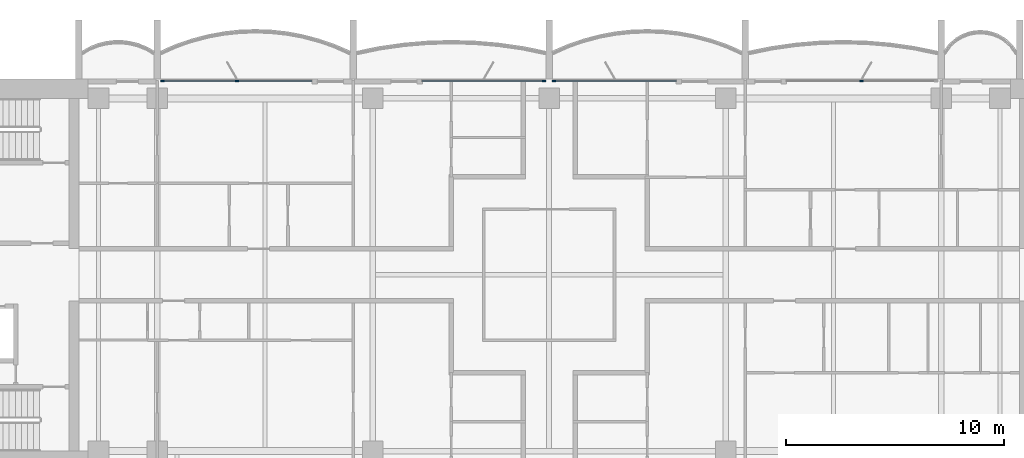
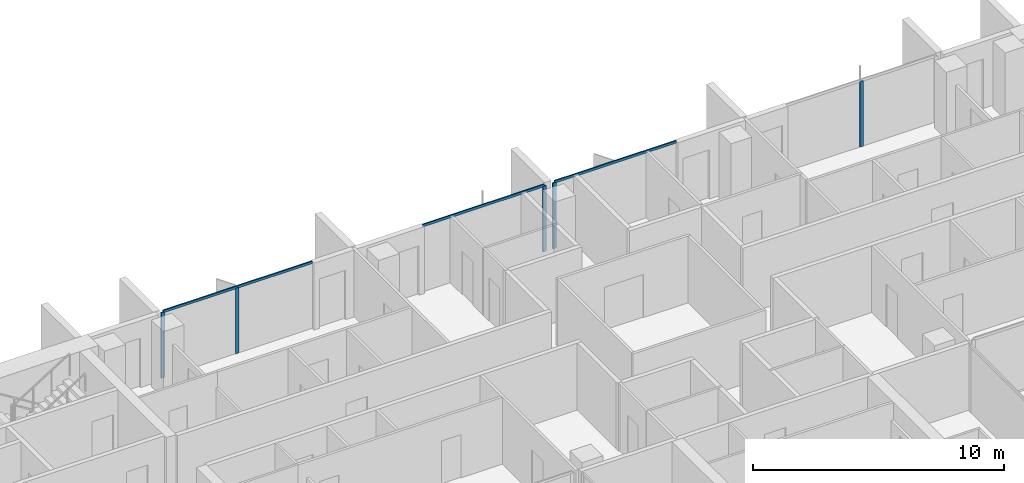
# One storey, part 5 of 17: 8 members, 4 elements without a shape of their own.
"""IFC4 building model written with IfcOpenShell, lengths in metres."""

from ifc_helpers import new_model, si_unit, direction, frame, origin, origin_2d, place, context, subcontext, project, spatial, rectangle, extrude, material, material_profile, profile_set, type_object, element, aggregate, save


model = new_model("IFC4")

# Units and contexts
model_context = context("Model", 3, precision=1e-05, world=origin(), true_north=direction((0.0, 1.0)))
body_context = subcontext(model_context, "Body", "Model", "MODEL_VIEW")
ifc_project = project(units=[si_unit("LENGTHUNIT", "METRE"), si_unit("AREAUNIT", "SQUARE_METRE"), si_unit("VOLUMEUNIT", "CUBIC_METRE"), si_unit("PLANEANGLEUNIT", "RADIAN"), si_unit("MASSUNIT", "GRAM", prefix="KILO")], contexts=[model_context])

# Site, building, storey
site_placement = place(None, origin())
site = spatial("IfcSite", under=ifc_project, at=site_placement, CompositionType="ELEMENT")
building_placement = place(site_placement, origin())
building = spatial("IfcBuilding", under=site, at=building_placement, Name="Perihelion Cross Residences", CompositionType="ELEMENT")
storey_placement = place(building_placement, frame((0.0, 0.0, 180.60009765625)))
storey = spatial("IfcBuildingStorey", under=building, at=storey_placement, Name="L44", CompositionType="ELEMENT", Elevation=180.60009765625)

# Curtain wall, member
ifc_material_1 = material(Name="Bronze anodised aluminium, tinted glazing", Category="aluminium")
curtain_wall_type = type_object("IfcCurtainWallType", Name="CW1", PredefinedType="NOTDEFINED", material=ifc_material_1)
curtain_wall_1_placement = place(storey_placement, origin())
curtain_wall_1 = element("IfcCurtainWall", 1, at=curtain_wall_1_placement, inside=storey, type_object=curtain_wall_type, Name="Curtain wall CW1 L44 east side north bay 2", PredefinedType="NOTDEFINED")
ifc_material_2 = material(Name="Bronze anodised aluminium", Category="aluminium")
ifc_material_profile_1 = material_profile(ifc_material_2, rectangle(XDim=0.06005859375, YDim=0.159912109375, at=origin_2d()), Name="CW1 mullion")
ifc_profile_set_1 = profile_set([ifc_material_profile_1], Name="Bronze anodised aluminium")
member_type_1 = type_object("IfcMemberType", Name="CW1 mullion", PredefinedType="MULLION", material=ifc_profile_set_1)
member_1_placement = place(storey_placement, frame((14.35009765625, 8.89990234375, 0.0), z_axis=(0.0, 0.0, 1.0), x_axis=(0.0, -1.0, 0.0)))
member_1 = element("IfcMember", 2, at=member_1_placement, type_object=member_type_1, Name="CW1 mullion 2", PredefinedType="MULLION", context=body_context, shape_type="SweptSolid", body=[
    extrude(rectangle(XDim=0.06005859375, YDim=0.159912109375, at=origin_2d()), origin(), (0.0, 0.0, 1.0), 3.18994140625),
])
aggregate(curtain_wall_1, [member_1])

curtain_wall_2_placement = place(storey_placement, origin())
curtain_wall_2 = element("IfcCurtainWall", 3, at=curtain_wall_2_placement, inside=storey, type_object=curtain_wall_type, Name="Curtain wall CW1 L44 north side east bay 1", PredefinedType="NOTDEFINED")
member_2_placement = place(storey_placement, frame((0.22998046875, 8.89990234375, 0.0), z_axis=(0.0, 0.0, 1.0), x_axis=(0.0, -1.0, 0.0)))
member_2 = element("IfcMember", 4, at=member_2_placement, type_object=member_type_1, Name="CW1 mullion 2", PredefinedType="MULLION", context=body_context, shape_type="SweptSolid", body=[
    extrude(rectangle(XDim=0.06005859375, YDim=0.159912109375, at=origin_2d()), origin(), (0.0, 0.0, 1.0), 3.18994140625),
])

curtain_wall_3_placement = place(storey_placement, origin())
curtain_wall_3 = element("IfcCurtainWall", 5, at=curtain_wall_3_placement, inside=storey, type_object=curtain_wall_type, Name="Curtain wall CW1 L44 north side east bay 2", PredefinedType="NOTDEFINED")
member_3_placement = place(storey_placement, frame((-0.22998046875, 8.89990234375, 0.0), z_axis=(0.0, 0.0, 1.0), x_axis=(0.0, -1.0, 0.0)))
member_3 = element("IfcMember", 6, at=member_3_placement, type_object=member_type_1, Name="CW1 mullion 1", PredefinedType="MULLION", context=body_context, shape_type="SweptSolid", body=[
    extrude(rectangle(XDim=0.06005859375, YDim=0.159912109375, at=origin_2d()), origin(), (0.0, 0.0, 1.0), 3.18994140625),
])

# Curtain wall, members
curtain_wall_4_placement = place(storey_placement, origin())
curtain_wall_4 = element("IfcCurtainWall", 7, at=curtain_wall_4_placement, inside=storey, type_object=curtain_wall_type, Name="Curtain wall CW1 L44 west side north bay 1", PredefinedType="NOTDEFINED")
member_4_placement = place(storey_placement, frame((-14.35009765625, 8.89990234375, 0.0), z_axis=(0.0, 0.0, 1.0), x_axis=(0.0, -1.0, 0.0)))
member_4 = element("IfcMember", 8, at=member_4_placement, type_object=member_type_1, Name="CW1 mullion 2", PredefinedType="MULLION", context=body_context, shape_type="SweptSolid", body=[
    extrude(rectangle(XDim=0.06005859375, YDim=0.159912109375, at=origin_2d()), origin(), (0.0, 0.0, 1.0), 3.18994140625),
])
member_5_placement = place(storey_placement, frame((-17.77001953125, 8.89990234375, 0.0), z_axis=(0.0, 0.0, 1.0), x_axis=(0.0, -1.0, 0.0)))
member_5 = element("IfcMember", 9, at=member_5_placement, type_object=member_type_1, Name="CW1 mullion 3", PredefinedType="MULLION", context=body_context, shape_type="SweptSolid", body=[
    extrude(rectangle(XDim=0.06005859375, YDim=0.159912109375, at=origin_2d()), origin(), (0.0, 0.0, 1.0), 3.18994140625),
])

# Member
ifc_material_3 = material(Name="Bronze anodised aluminium", Category="aluminium")
ifc_material_profile_2 = material_profile(ifc_material_3, rectangle(XDim=0.06005859375, YDim=0.1201171875, at=origin_2d()), Name="CW1 transom")
ifc_profile_set_2 = profile_set([ifc_material_profile_2], Name="Bronze anodised aluminium")
member_type_2 = type_object("IfcMemberType", Name="CW1 transom", PredefinedType="USERDEFINED", material=ifc_profile_set_2)
member_6_placement = place(storey_placement, frame((5.824951171875, 8.89990234375, 3.219970703125), z_axis=(-1.0, 0.0, 0.0), x_axis=(0.0, -1.0, 0.0)))
member_6 = element("IfcMember", 10, at=member_6_placement, type_object=member_type_2, Name="CW1 head transom", ObjectType="TRANSOM", PredefinedType="USERDEFINED", context=body_context, shape_type="SweptSolid", body=[
    extrude(rectangle(XDim=0.06005859375, YDim=0.1201171875, at=origin_2d()), origin(), (0.0, 0.0, 1.0), 5.594970703125),
])

aggregate(curtain_wall_2, [member_2, member_6])

member_7_placement = place(storey_placement, frame((-0.22998046875, 8.89990234375, 3.219970703125), z_axis=(-1.0, 0.0, 0.0), x_axis=(0.0, -1.0, 0.0)))
member_7 = element("IfcMember", 11, at=member_7_placement, type_object=member_type_2, Name="CW1 head transom", ObjectType="TRANSOM", PredefinedType="USERDEFINED", context=body_context, shape_type="SweptSolid", body=[
    extrude(rectangle(XDim=0.06005859375, YDim=0.1201171875, at=origin_2d()), origin(), (0.0, 0.0, 1.0), 5.594970703125),
])

aggregate(curtain_wall_3, [member_3, member_7])

member_8_placement = place(storey_placement, frame((-10.89990234375, 8.89990234375, 3.219970703125), z_axis=(-1.0, 0.0, 0.0), x_axis=(0.0, -1.0, 0.0)))
member_8 = element("IfcMember", 12, at=member_8_placement, type_object=member_type_2, Name="CW1 head transom", ObjectType="TRANSOM", PredefinedType="USERDEFINED", context=body_context, shape_type="SweptSolid", body=[
    extrude(rectangle(XDim=0.06005859375, YDim=0.1201171875, at=origin_2d()), origin(), (0.0, 0.0, 1.0), 6.8701171875),
])

aggregate(curtain_wall_4, [member_4, member_5, member_8])

save(model, "model.ifc")
